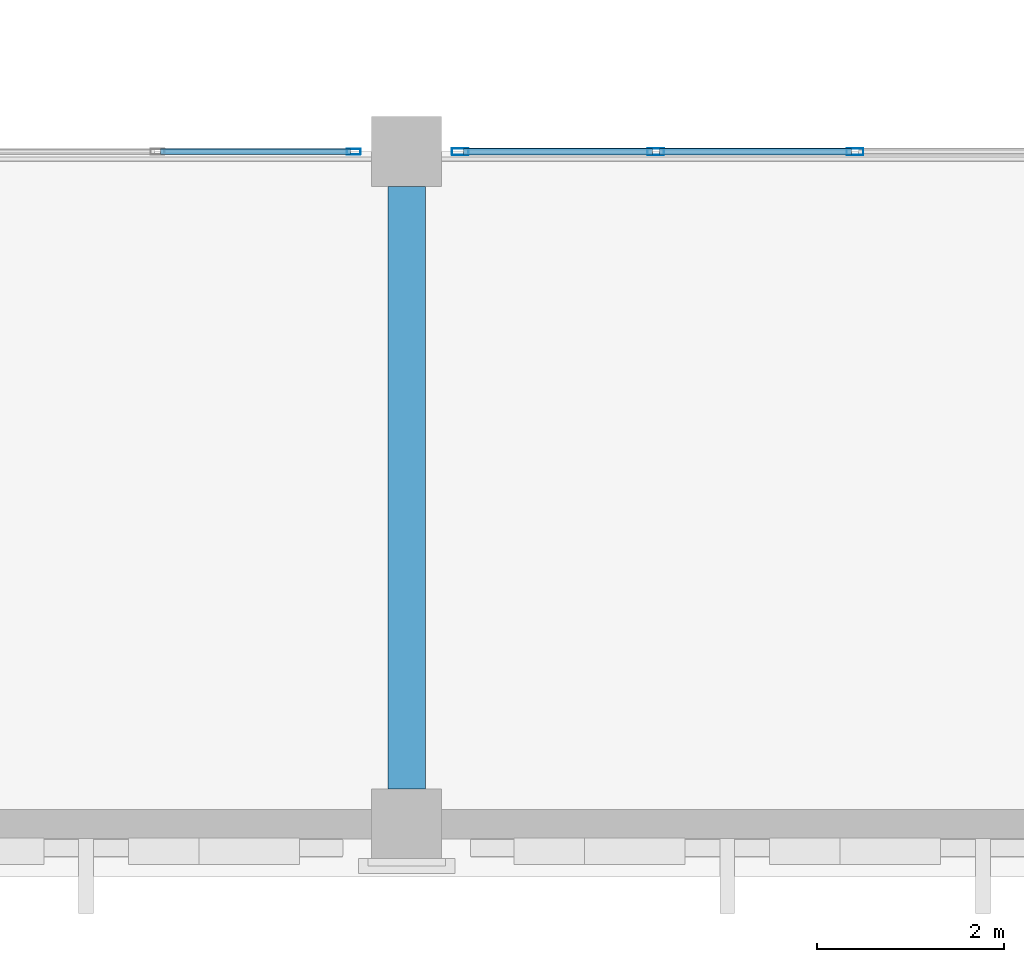
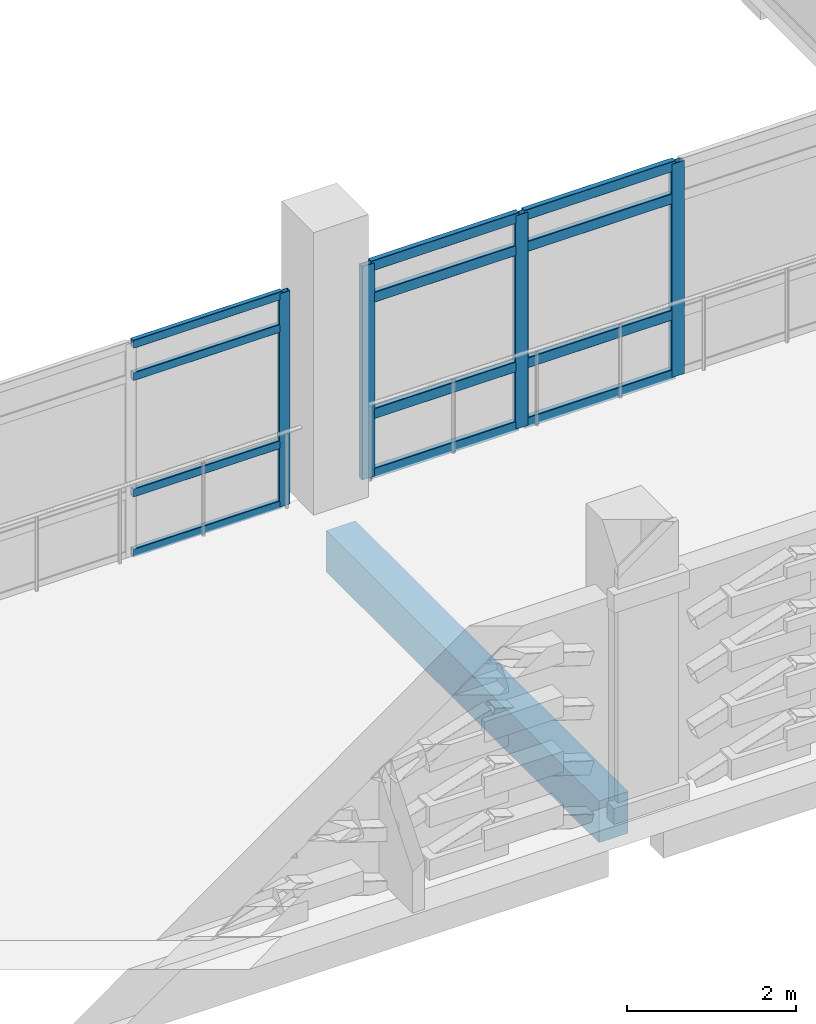
# One storey, part 94 of 180: 16 members, 1 beam, 2 elements without a shape of their own.
"""IFC4 building model written with IfcOpenShell, lengths in metres."""

from ifc_helpers import new_model, si_unit, direction, frame, origin, origin_2d, place, context, subcontext, project, spatial, rectangle, hollow_rectangle, extrude, material, layer, layer_set, material_profile, profile_set, type_object, element, aggregate, save


model = new_model("IFC4")

# Units and contexts
model_context = context("Model", 3, precision=1e-05, world=origin(), true_north=direction((0.0, 1.0)))
body_context = subcontext(model_context, "Body", "Model", "MODEL_VIEW")
ifc_project = project(units=[si_unit("LENGTHUNIT", "METRE"), si_unit("AREAUNIT", "SQUARE_METRE"), si_unit("VOLUMEUNIT", "CUBIC_METRE"), si_unit("PLANEANGLEUNIT", "RADIAN"), si_unit("MASSUNIT", "GRAM", prefix="KILO")], contexts=[model_context])

# Site, building, storey
site_placement = place(None, origin())
site = spatial("IfcSite", under=ifc_project, at=site_placement, CompositionType="ELEMENT")
building_placement = place(site_placement, origin())
building = spatial("IfcBuilding", under=site, at=building_placement, Name="Asteropetra Specialist Clinic", CompositionType="ELEMENT")
storey_placement = place(building_placement, frame((0.0, 0.0, 4.419921875)))
storey = spatial("IfcBuildingStorey", under=building, at=storey_placement, Name="L01", CompositionType="ELEMENT", Elevation=4.419921875)

# Beam
ifc_material_1 = material(Name="Concrete C35/45", Category="concrete")
ifc_material_profile_1 = material_profile(ifc_material_1, rectangle(XDim=0.39990234375, YDim=0.60009765625, at=origin_2d()), Name="RCB 400x600")
ifc_profile_set_1 = profile_set([ifc_material_profile_1], Name="Concrete C35/45")
beam_type = type_object("IfcBeamType", Name="BM-RC400x600", PredefinedType="BEAM", material=ifc_profile_set_1)
beam_placement = place(storey_placement, frame((57.60009765625, 69.97509765625, -0.579833984375), z_axis=(0.0, 1.0, 0.0), x_axis=(-1.0, 0.0, 0.0)))
element("IfcBeam", 1, at=beam_placement, inside=storey, type_object=beam_type, Name="Beam BBM08-0676", PredefinedType="BEAM", context=body_context, shape_type="SweptSolid", body=[
    extrude(rectangle(XDim=0.39990234375, YDim=0.60009765625, at=origin_2d()), origin(), (0.0, 0.0, 1.0), 6.449951171875),
])

# Curtain wall, member
ifc_material_2 = material(Name="Aluminium and low-E glass", Category="aluminium")
ifc_layer_1 = layer(ifc_material_2, 0.135009765625)
ifc_layer_set_1 = layer_set([ifc_layer_1], Name="Aluminium and low-E glass")
curtain_wall_type_1 = type_object("IfcCurtainWallType", Name="CW-SYS-03", PredefinedType="USERDEFINED", material=ifc_layer_set_1)
curtain_wall_1_placement = place(storey_placement, origin())
curtain_wall_1 = element("IfcCurtainWall", 2, at=curtain_wall_1_placement, inside=storey, type_object=curtain_wall_type_1, Name="Curtain Wall CW-025", ObjectType="UNITISED CURTAIN WALL", PredefinedType="USERDEFINED")
ifc_material_3 = material(Name="Aluminium 6063-T6", Category="aluminium")
ifc_material_profile_2 = material_profile(ifc_material_3, hollow_rectangle(XDim=0.06494140625, YDim=0.14990234375, WallThickness=0.00390625, InnerFilletRadius=0.00390625, OuterFilletRadius=0.008056640625, at=origin_2d()), Name="MUL 150x65x4.0")
ifc_profile_set_2 = profile_set([ifc_material_profile_2], Name="Aluminium 6063-T6")
member_type_1 = type_object("IfcMemberType", Name="CWM-150x65", PredefinedType="MULLION", material=ifc_profile_set_2)
member_1_placement = place(storey_placement, frame((57.032470703125, 76.800048828125, 0.0), z_axis=(0.0, 0.0, 1.0), x_axis=(0.0, 1.0, 0.0)))
member_1 = element("IfcMember", 3, at=member_1_placement, type_object=member_type_1, Name="CW-025 mullion 5", PredefinedType="MULLION", context=body_context, shape_type="SweptSolid", body=[
    extrude(hollow_rectangle(XDim=0.06494140625, YDim=0.14990234375, WallThickness=0.00390625, InnerFilletRadius=0.00390625, OuterFilletRadius=0.008056640625, at=origin_2d()), origin(), (0.0, 0.0, 1.0), 3.080078125),
])

# Curtain wall, members
ifc_material_4 = material(Name="Aluminium and low-E glass", Category="aluminium")
ifc_layer_2 = layer(ifc_material_4, 0.179931640625)
ifc_layer_set_2 = layer_set([ifc_layer_2], Name="Aluminium and low-E glass")
curtain_wall_type_2 = type_object("IfcCurtainWallType", Name="CW-SYS-04", PredefinedType="USERDEFINED", material=ifc_layer_set_2)
curtain_wall_2_placement = place(storey_placement, origin())
curtain_wall_2 = element("IfcCurtainWall", 4, at=curtain_wall_2_placement, inside=storey, type_object=curtain_wall_type_2, Name="Curtain Wall CW-027", ObjectType="UNITISED CURTAIN WALL", PredefinedType="USERDEFINED")
ifc_material_5 = material(Name="Aluminium 6063-T6", Category="aluminium")
ifc_material_profile_3 = material_profile(ifc_material_5, hollow_rectangle(XDim=0.074951171875, YDim=0.179931640625, WallThickness=0.00390625, InnerFilletRadius=0.00390625, OuterFilletRadius=0.008056640625, at=origin_2d()), Name="MUL 180x75x4.0")
ifc_profile_set_3 = profile_set([ifc_material_profile_3], Name="Aluminium 6063-T6")
member_type_2 = type_object("IfcMemberType", Name="CWM-180x75", PredefinedType="MULLION", material=ifc_profile_set_3)
member_2_placement = place(storey_placement, frame((58.172607421875, 76.800048828125, 0.0), z_axis=(0.0, 0.0, 1.0), x_axis=(0.0, 1.0, 0.0)))
member_2 = element("IfcMember", 5, at=member_2_placement, type_object=member_type_2, Name="CW-027 mullion 1", PredefinedType="MULLION", context=body_context, shape_type="SweptSolid", body=[
    extrude(hollow_rectangle(XDim=0.074951171875, YDim=0.179931640625, WallThickness=0.00390625, InnerFilletRadius=0.00390625, OuterFilletRadius=0.008056640625, at=origin_2d()), origin(), (0.0, 0.0, 1.0), 3.080078125),
])
member_3_placement = place(storey_placement, frame((60.267578125, 76.800048828125, 0.0), z_axis=(0.0, 0.0, 1.0), x_axis=(0.0, 1.0, 0.0)))
member_3 = element("IfcMember", 6, at=member_3_placement, type_object=member_type_2, Name="CW-027 mullion 2", PredefinedType="MULLION", context=body_context, shape_type="SweptSolid", body=[
    extrude(hollow_rectangle(XDim=0.074951171875, YDim=0.179931640625, WallThickness=0.00390625, InnerFilletRadius=0.00390625, OuterFilletRadius=0.008056640625, at=origin_2d()), origin(), (0.0, 0.0, 1.0), 3.080078125),
])
member_4_placement = place(storey_placement, frame((62.39990234375, 76.800048828125, 0.0), z_axis=(0.0, 0.0, 1.0), x_axis=(0.0, 1.0, 0.0)))
member_4 = element("IfcMember", 7, at=member_4_placement, type_object=member_type_2, Name="CW-027 mullion 3", PredefinedType="MULLION", context=body_context, shape_type="SweptSolid", body=[
    extrude(hollow_rectangle(XDim=0.074951171875, YDim=0.179931640625, WallThickness=0.00390625, InnerFilletRadius=0.00390625, OuterFilletRadius=0.008056640625, at=origin_2d()), origin(), (0.0, 0.0, 1.0), 3.080078125),
])

# Member
ifc_material_6 = material(Name="Aluminium 6063-T6", Category="aluminium")
ifc_material_profile_4 = material_profile(ifc_material_6, hollow_rectangle(XDim=0.06494140625, YDim=0.1201171875, WallThickness=0.00390625, InnerFilletRadius=0.00390625, OuterFilletRadius=0.008056640625, at=origin_2d()), Name="TRN 120x65x4.0")
ifc_profile_set_4 = profile_set([ifc_material_profile_4], Name="Aluminium 6063-T6")
member_type_3 = type_object("IfcMemberType", Name="CWT-120x65", PredefinedType="USERDEFINED", material=ifc_profile_set_4)
member_5_placement = place(storey_placement, frame((54.965087890625, 76.800048828125, 0.032470703125), z_axis=(1.0, 0.0, 0.0), x_axis=(0.0, 1.0, 0.0)))
member_5 = element("IfcMember", 8, at=member_5_placement, type_object=member_type_3, Name="CW-025 transom 4.1", ObjectType="TRANSOM", PredefinedType="USERDEFINED", context=body_context, shape_type="SweptSolid", body=[
    extrude(hollow_rectangle(XDim=0.06494140625, YDim=0.1201171875, WallThickness=0.00390625, InnerFilletRadius=0.00390625, OuterFilletRadius=0.008056640625, at=origin_2d()), origin(), (0.0, 0.0, 1.0), 2.034912109375),
])

member_6_placement = place(storey_placement, frame((54.965087890625, 76.800048828125, 0.900146484375), z_axis=(1.0, 0.0, 0.0), x_axis=(0.0, 1.0, 0.0)))
member_6 = element("IfcMember", 9, at=member_6_placement, type_object=member_type_3, Name="CW-025 transom 4.2", ObjectType="TRANSOM", PredefinedType="USERDEFINED", context=body_context, shape_type="SweptSolid", body=[
    extrude(hollow_rectangle(XDim=0.06494140625, YDim=0.1201171875, WallThickness=0.00390625, InnerFilletRadius=0.00390625, OuterFilletRadius=0.008056640625, at=origin_2d()), origin(), (0.0, 0.0, 1.0), 2.034912109375),
])

member_7_placement = place(storey_placement, frame((54.965087890625, 76.800048828125, 2.580078125), z_axis=(1.0, 0.0, 0.0), x_axis=(0.0, 1.0, 0.0)))
member_7 = element("IfcMember", 10, at=member_7_placement, type_object=member_type_3, Name="CW-025 transom 4.3", ObjectType="TRANSOM", PredefinedType="USERDEFINED", context=body_context, shape_type="SweptSolid", body=[
    extrude(hollow_rectangle(XDim=0.06494140625, YDim=0.1201171875, WallThickness=0.00390625, InnerFilletRadius=0.00390625, OuterFilletRadius=0.008056640625, at=origin_2d()), origin(), (0.0, 0.0, 1.0), 2.034912109375),
])

member_8_placement = place(storey_placement, frame((54.965087890625, 76.800048828125, 3.047607421875), z_axis=(1.0, 0.0, 0.0), x_axis=(0.0, 1.0, 0.0)))
member_8 = element("IfcMember", 11, at=member_8_placement, type_object=member_type_3, Name="CW-025 transom 4.4", ObjectType="TRANSOM", PredefinedType="USERDEFINED", context=body_context, shape_type="SweptSolid", body=[
    extrude(hollow_rectangle(XDim=0.06494140625, YDim=0.1201171875, WallThickness=0.00390625, InnerFilletRadius=0.00390625, OuterFilletRadius=0.008056640625, at=origin_2d()), origin(), (0.0, 0.0, 1.0), 2.034912109375),
])

aggregate(curtain_wall_1, [member_1, member_5, member_6, member_7, member_8])

ifc_material_7 = material(Name="Aluminium 6063-T6", Category="aluminium")
ifc_material_profile_5 = material_profile(ifc_material_7, hollow_rectangle(XDim=0.074951171875, YDim=0.14990234375, WallThickness=0.00390625, InnerFilletRadius=0.00390625, OuterFilletRadius=0.008056640625, at=origin_2d()), Name="TRN 150x75x4.0")
ifc_profile_set_5 = profile_set([ifc_material_profile_5], Name="Aluminium 6063-T6")
member_type_4 = type_object("IfcMemberType", Name="CWT-150x75", PredefinedType="USERDEFINED", material=ifc_profile_set_5)
member_9_placement = place(storey_placement, frame((58.2099609375, 76.800048828125, 0.03759765625), z_axis=(1.0, 0.0, 0.0), x_axis=(0.0, 1.0, 0.0)))
member_9 = element("IfcMember", 12, at=member_9_placement, type_object=member_type_4, Name="CW-027 transom 1.1", ObjectType="TRANSOM", PredefinedType="USERDEFINED", context=body_context, shape_type="SweptSolid", body=[
    extrude(hollow_rectangle(XDim=0.074951171875, YDim=0.14990234375, WallThickness=0.00390625, InnerFilletRadius=0.00390625, OuterFilletRadius=0.008056640625, at=origin_2d()), origin(), (0.0, 0.0, 1.0), 2.02001953125),
])

member_10_placement = place(storey_placement, frame((58.2099609375, 76.800048828125, 0.900146484375), z_axis=(1.0, 0.0, 0.0), x_axis=(0.0, 1.0, 0.0)))
member_10 = element("IfcMember", 13, at=member_10_placement, type_object=member_type_4, Name="CW-027 transom 1.2", ObjectType="TRANSOM", PredefinedType="USERDEFINED", context=body_context, shape_type="SweptSolid", body=[
    extrude(hollow_rectangle(XDim=0.074951171875, YDim=0.14990234375, WallThickness=0.00390625, InnerFilletRadius=0.00390625, OuterFilletRadius=0.008056640625, at=origin_2d()), origin(), (0.0, 0.0, 1.0), 2.02001953125),
])

member_11_placement = place(storey_placement, frame((58.2099609375, 76.800048828125, 2.580078125), z_axis=(1.0, 0.0, 0.0), x_axis=(0.0, 1.0, 0.0)))
member_11 = element("IfcMember", 14, at=member_11_placement, type_object=member_type_4, Name="CW-027 transom 1.3", ObjectType="TRANSOM", PredefinedType="USERDEFINED", context=body_context, shape_type="SweptSolid", body=[
    extrude(hollow_rectangle(XDim=0.074951171875, YDim=0.14990234375, WallThickness=0.00390625, InnerFilletRadius=0.00390625, OuterFilletRadius=0.008056640625, at=origin_2d()), origin(), (0.0, 0.0, 1.0), 2.02001953125),
])

member_12_placement = place(storey_placement, frame((58.2099609375, 76.800048828125, 3.04248046875), z_axis=(1.0, 0.0, 0.0), x_axis=(0.0, 1.0, 0.0)))
member_12 = element("IfcMember", 15, at=member_12_placement, type_object=member_type_4, Name="CW-027 transom 1.4", ObjectType="TRANSOM", PredefinedType="USERDEFINED", context=body_context, shape_type="SweptSolid", body=[
    extrude(hollow_rectangle(XDim=0.074951171875, YDim=0.14990234375, WallThickness=0.00390625, InnerFilletRadius=0.00390625, OuterFilletRadius=0.008056640625, at=origin_2d()), origin(), (0.0, 0.0, 1.0), 2.02001953125),
])

member_13_placement = place(storey_placement, frame((60.304931640625, 76.800048828125, 0.03759765625), z_axis=(1.0, 0.0, 0.0), x_axis=(0.0, 1.0, 0.0)))
member_13 = element("IfcMember", 16, at=member_13_placement, type_object=member_type_4, Name="CW-027 transom 2.1", ObjectType="TRANSOM", PredefinedType="USERDEFINED", context=body_context, shape_type="SweptSolid", body=[
    extrude(hollow_rectangle(XDim=0.074951171875, YDim=0.14990234375, WallThickness=0.00390625, InnerFilletRadius=0.00390625, OuterFilletRadius=0.008056640625, at=origin_2d()), origin(), (0.0, 0.0, 1.0), 2.0576171875),
])

member_14_placement = place(storey_placement, frame((60.304931640625, 76.800048828125, 0.900146484375), z_axis=(1.0, 0.0, 0.0), x_axis=(0.0, 1.0, 0.0)))
member_14 = element("IfcMember", 17, at=member_14_placement, type_object=member_type_4, Name="CW-027 transom 2.2", ObjectType="TRANSOM", PredefinedType="USERDEFINED", context=body_context, shape_type="SweptSolid", body=[
    extrude(hollow_rectangle(XDim=0.074951171875, YDim=0.14990234375, WallThickness=0.00390625, InnerFilletRadius=0.00390625, OuterFilletRadius=0.008056640625, at=origin_2d()), origin(), (0.0, 0.0, 1.0), 2.0576171875),
])

member_15_placement = place(storey_placement, frame((60.304931640625, 76.800048828125, 2.580078125), z_axis=(1.0, 0.0, 0.0), x_axis=(0.0, 1.0, 0.0)))
member_15 = element("IfcMember", 18, at=member_15_placement, type_object=member_type_4, Name="CW-027 transom 2.3", ObjectType="TRANSOM", PredefinedType="USERDEFINED", context=body_context, shape_type="SweptSolid", body=[
    extrude(hollow_rectangle(XDim=0.074951171875, YDim=0.14990234375, WallThickness=0.00390625, InnerFilletRadius=0.00390625, OuterFilletRadius=0.008056640625, at=origin_2d()), origin(), (0.0, 0.0, 1.0), 2.0576171875),
])

member_16_placement = place(storey_placement, frame((60.304931640625, 76.800048828125, 3.04248046875), z_axis=(1.0, 0.0, 0.0), x_axis=(0.0, 1.0, 0.0)))
member_16 = element("IfcMember", 19, at=member_16_placement, type_object=member_type_4, Name="CW-027 transom 2.4", ObjectType="TRANSOM", PredefinedType="USERDEFINED", context=body_context, shape_type="SweptSolid", body=[
    extrude(hollow_rectangle(XDim=0.074951171875, YDim=0.14990234375, WallThickness=0.00390625, InnerFilletRadius=0.00390625, OuterFilletRadius=0.008056640625, at=origin_2d()), origin(), (0.0, 0.0, 1.0), 2.0576171875),
])

aggregate(curtain_wall_2, [member_2, member_3, member_4, member_9, member_10, member_11, member_12, member_13, member_14, member_15, member_16])

save(model, "model.ifc")
